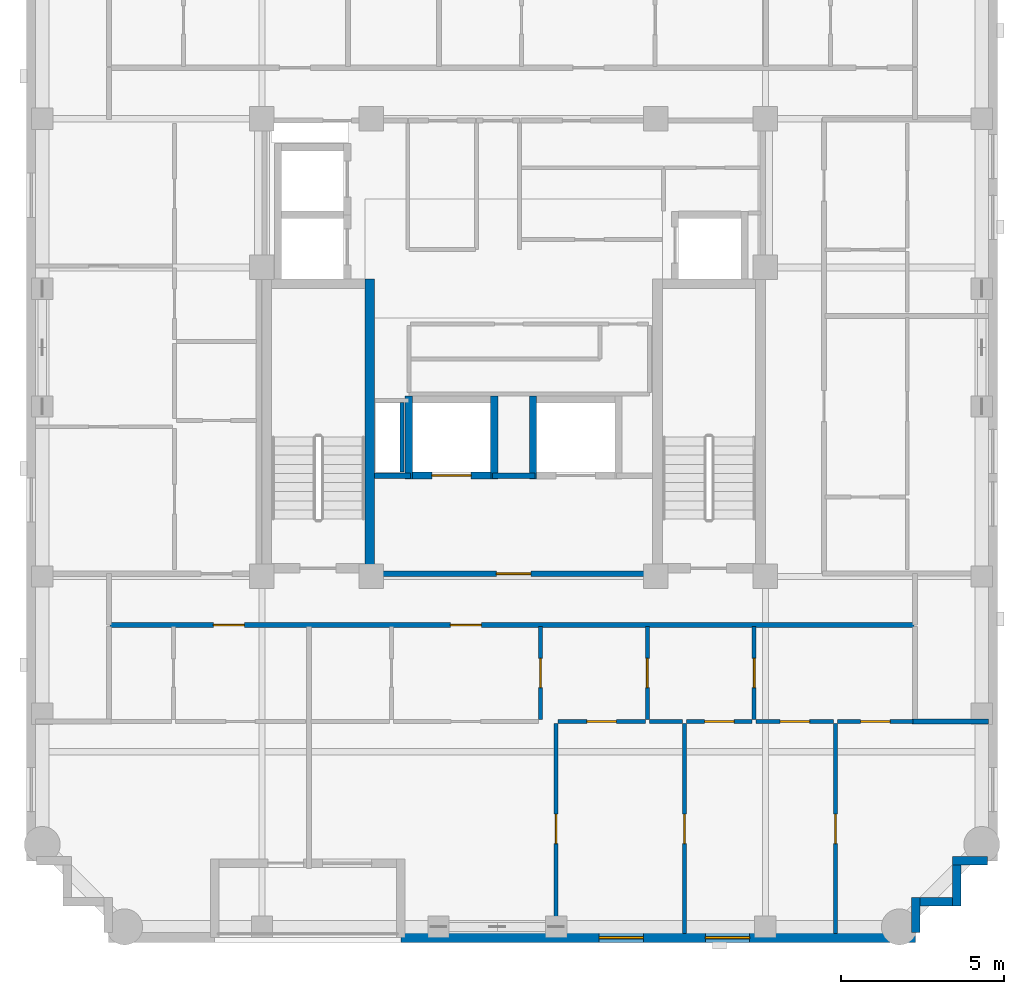
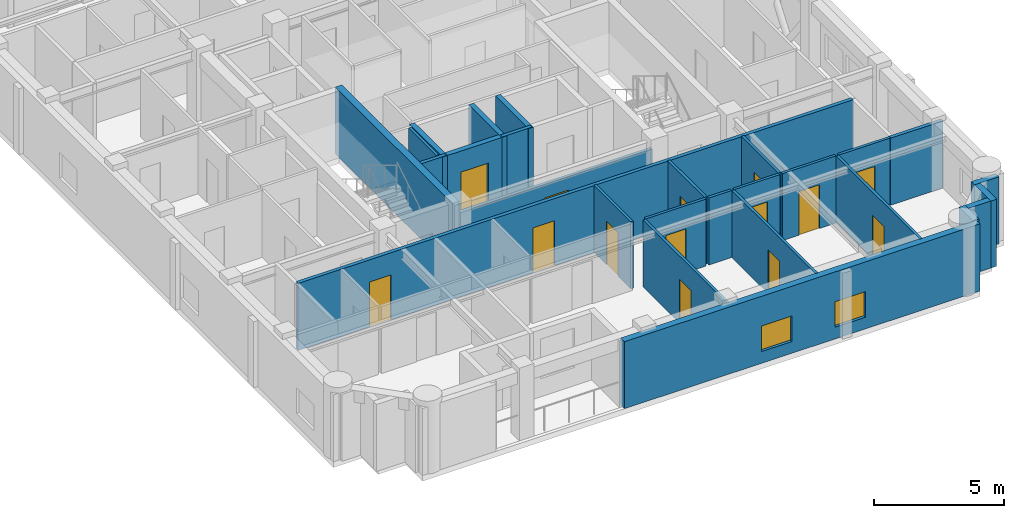
# One storey, part 3 of 10: 27 walls, 14 doors, 2 windows, 16 openings.
"""IFC4 building model written with IfcOpenShell, lengths in metres."""

from ifc_helpers import new_model, si_unit, derived_unit, direction, frame, frame_2d, origin, place, context, subcontext, project, spatial, rectangle, extrude, material, layer, layer_set, type_object, element, fill, save


model = new_model("IFC4")

# Units and contexts
model_context = context("Model", 3, precision=1e-05, world=origin(), true_north=direction((0.0, 1.0)))
body_context = subcontext(model_context, "Body", "Model", "MODEL_VIEW")
ifc_project = project(units=[si_unit("LENGTHUNIT", "METRE"), si_unit("AREAUNIT", "SQUARE_METRE"), si_unit("VOLUMEUNIT", "CUBIC_METRE"), si_unit("PLANEANGLEUNIT", "RADIAN"), si_unit("MASSUNIT", "GRAM", prefix="KILO"), derived_unit("THERMALTRANSMITTANCEUNIT", [(si_unit("MASSUNIT", "GRAM", prefix="KILO"), 1), (si_unit("TIMEUNIT", "SECOND"), -3), (si_unit("THERMODYNAMICTEMPERATUREUNIT", "KELVIN"), -1)])], contexts=[model_context])

# Site, building, storey
site_placement = place(None, origin())
site = spatial("IfcSite", under=ifc_project, at=site_placement, CompositionType="ELEMENT")
building_placement = place(site_placement, origin())
building = spatial("IfcBuilding", under=site, at=building_placement, Name="Korrvale Station Residences", CompositionType="ELEMENT")
storey_placement = place(building_placement, frame((0.0, 0.0, 217.300048828125)))
storey = spatial("IfcBuildingStorey", under=building, at=storey_placement, Name="L63", CompositionType="ELEMENT", Elevation=217.300048828125)

# Walls
ifc_material_1 = material(Name="Concrete C50/60", Category="concrete")
ifc_layer_1 = layer(ifc_material_1, 0.300048828125, Name="Concrete C50/60")
ifc_layer_set_1 = layer_set([ifc_layer_1], Name="Concrete C50/60")
wall_type_1 = type_object("IfcWallType", Name="WAL-CORE-300-C50", PredefinedType="SHEAR", material=ifc_layer_set_1)
wall_1_placement = place(storey_placement, frame((21.10009765625, 15.10009765625, 0.0), z_axis=(0.0, 0.0, 1.0), x_axis=(0.0, 1.0, 0.0)))
element("IfcWall", 1, at=wall_1_placement, inside=storey, type_object=wall_type_1, Name="L63 ST-1 Core Shear Wall East", PredefinedType="SHEAR", context=body_context, shape_type="SweptSolid", body=[
    extrude(rectangle(XDim=9.0, YDim=0.300048828125, at=frame_2d((4.5, 0.0))), origin(), (0.0, 0.0, 1.0), 3.139892578125),
])
ifc_material_2 = material(Name="Precast concrete C45/55", Category="concrete")
ifc_layer_2 = layer(ifc_material_2, 0.260009765625, Name="Precast concrete C45/55")
ifc_layer_set_2 = layer_set([ifc_layer_2], Name="Precast concrete C45/55")
wall_type_2 = type_object("IfcWallType", Name="WAL-EXT-LOG260", PredefinedType="SOLIDWALL", material=ifc_layer_set_2)
wall_2_placement = place(storey_placement, frame((39.998046875, 6.300048828125, 0.0), z_axis=(0.0, 0.0, 1.0), x_axis=(-1.0, 0.0, 0.0)))
element("IfcWall", 2, at=wall_2_placement, inside=storey, type_object=wall_type_2, Name="L63 Serrated Corner Precast Step SE-1", PredefinedType="SOLIDWALL", context=body_context, shape_type="SweptSolid", body=[
    extrude(rectangle(XDim=1.078125, YDim=0.260009765625, at=frame_2d((0.5390625, 0.0))), origin(), (0.0, 0.0, 1.0), 3.139892578125),
])
wall_3_placement = place(storey_placement, frame((39.050048828125, 6.16796875, 0.0), z_axis=(0.0, 0.0, 1.0), x_axis=(0.0, -1.0, 0.0)))
element("IfcWall", 3, at=wall_3_placement, inside=storey, type_object=wall_type_2, Name="L63 Serrated Corner Precast Step SE-2", PredefinedType="SOLIDWALL", context=body_context, shape_type="SweptSolid", body=[
    extrude(rectangle(XDim=1.248046875, YDim=0.260009765625, at=frame_2d((0.6240234375, 0.0))), origin(), (0.0, 0.0, 1.0), 3.139892578125),
])
wall_4_placement = place(storey_placement, frame((38.91796875, 5.050048828125, 0.0), z_axis=(0.0, 0.0, 1.0), x_axis=(-1.0, 0.0, 0.0)))
element("IfcWall", 4, at=wall_4_placement, inside=storey, type_object=wall_type_2, Name="L63 Serrated Corner Precast Step SE-3", PredefinedType="SOLIDWALL", context=body_context, shape_type="SweptSolid", body=[
    extrude(rectangle(XDim=0.986083984375, YDim=0.260009765625, at=frame_2d((0.4931640625, 0.0))), origin(), (0.0, 0.0, 1.0), 3.139892578125),
])
wall_5_placement = place(storey_placement, frame((37.800048828125, 5.179931640625, 0.0), z_axis=(0.0, 0.0, 1.0), x_axis=(0.0, -1.0, 0.0)))
element("IfcWall", 5, at=wall_5_placement, inside=storey, type_object=wall_type_2, Name="L63 Serrated Corner Precast Step SE-4", PredefinedType="SOLIDWALL", context=body_context, shape_type="SweptSolid", body=[
    extrude(rectangle(XDim=1.077880859375, YDim=0.260009765625, at=frame_2d((0.5390625, 0.0))), origin(), (0.0, 0.0, 1.0), 3.139892578125),
])

# Wall, openings, windows
ifc_layer_3 = layer(ifc_material_2, 0.300048828125, Name="Precast concrete C45/55")
ifc_layer_set_3 = layer_set([ifc_layer_3], Name="Precast concrete C45/55")
wall_type_3 = type_object("IfcWallType", Name="WAL-EXT-PC300", PredefinedType="SOLIDWALL", material=ifc_layer_set_3)
wall_6_placement = place(storey_placement, frame((37.800048828125, 3.949951171875, 0.0), z_axis=(0.0, 0.0, 1.0), x_axis=(-1.0, 0.0, 0.0)))
wall_6 = element("IfcWall", 6, at=wall_6_placement, inside=storey, type_object=wall_type_3, Name="L63 South Exterior Precast Wall 1", PredefinedType="SOLIDWALL", context=body_context, shape_type="SweptSolid", body=[
    extrude(rectangle(XDim=15.75, YDim=0.300048828125, at=frame_2d((7.875, 0.0))), origin(), (0.0, 0.0, 1.0), 3.139892578125),
])
opening_1_placement = place(wall_6_placement, frame((8.3349609375, 0.0, 0.550048828125)))
opening_1 = element("IfcOpeningElement", 7, at=opening_1_placement, cuts=wall_6, Name="Opening W-10", PredefinedType="OPENING", context=body_context, shape_type="SweptSolid", body=[
    extrude(rectangle(XDim=1.35009765625, YDim=1.199951171875, at=frame_2d((0.675048828125, 0.60009765625))), frame((0.0, 0.16015625, 0.0), z_axis=(0.0, -1.0, 0.0), x_axis=(1.0, 0.0, 0.0)), (0.0, 0.0, 1.0), 0.320068359375),
])
opening_2_placement = place(wall_6_placement, frame((5.0849609375, 0.0, 0.550048828125)))
opening_2 = element("IfcOpeningElement", 8, at=opening_2_placement, cuts=wall_6, Name="Opening W-10", PredefinedType="OPENING", context=body_context, shape_type="SweptSolid", body=[
    extrude(rectangle(XDim=1.35009765625, YDim=1.199951171875, at=frame_2d((0.675048828125, 0.60009765625))), frame((0.0, 0.16015625, 0.0), z_axis=(0.0, -1.0, 0.0), x_axis=(1.0, 0.0, 0.0)), (0.0, 0.0, 1.0), 0.320068359375),
])
ifc_material_3 = material(Name="Thermally broken aluminium frame with triple low-e glazing", Category="aluminium")
window_type = type_object("IfcWindowType", Name="WIN-W10", PartitioningType="SINGLE_PANEL", PredefinedType="WINDOW", material=ifc_material_3)
window_1_placement = place(opening_1_placement, origin())
window_1 = element("IfcWindow", 9, at=window_1_placement, inside=storey, type_object=window_type, Name="L63 Punched Window 03", OverallHeight=1.199951171875, OverallWidth=1.35009765625, PartitioningType="SINGLE_PANEL", PredefinedType="WINDOW", context=body_context, shape_type="SweptSolid", body=[
    extrude(rectangle(XDim=1.35009765625, YDim=1.199951171875, at=frame_2d((0.675048828125, 0.60009765625))), frame((0.0, 0.030029296875, 0.0), z_axis=(0.0, -1.0, 0.0), x_axis=(1.0, 0.0, 0.0)), (0.0, 0.0, 1.0), 0.06005859375),
])
fill(opening_1, window_1)
window_2_placement = place(opening_2_placement, origin())
window_2 = element("IfcWindow", 10, at=window_2_placement, inside=storey, type_object=window_type, Name="L63 Punched Window 04", OverallHeight=1.199951171875, OverallWidth=1.35009765625, PartitioningType="SINGLE_PANEL", PredefinedType="WINDOW", context=body_context, shape_type="SweptSolid", body=[
    extrude(rectangle(XDim=1.35009765625, YDim=1.199951171875, at=frame_2d((0.675048828125, 0.60009765625))), frame((0.0, 0.030029296875, 0.0), z_axis=(0.0, -1.0, 0.0), x_axis=(1.0, 0.0, 0.0)), (0.0, 0.0, 1.0), 0.06005859375),
])
fill(opening_2, window_2)

# Wall
ifc_material_4 = material(Name="Acoustic steel-stud gypsum board partition", Category="steel")
ifc_layer_4 = layer(ifc_material_4, 0.1201171875, Name="Acoustic steel-stud gypsum board partition")
ifc_layer_set_4 = layer_set([ifc_layer_4], Name="Acoustic steel-stud gypsum board partition")
wall_type_4 = type_object("IfcWallType", Name="WAL-PART-125", PredefinedType="PARTITIONING", material=ifc_layer_set_4)
wall_7_placement = place(storey_placement, frame((22.080078125, 18.199951171875, 0.0), z_axis=(0.0, 0.0, 1.0), x_axis=(0.0, 1.0, 0.0)))
element("IfcWall", 11, at=wall_7_placement, inside=storey, type_object=wall_type_4, Name="L63 Core Partition CW-RSWT", PredefinedType="PARTITIONING", context=body_context, shape_type="SweptSolid", body=[
    extrude(rectangle(XDim=2.1201171875, YDim=0.1201171875, at=frame_2d((1.06005859375, 0.0))), origin(), (0.0, 0.0, 1.0), 3.139892578125),
])

# Wall, opening, door
wall_8_placement = place(storey_placement, frame((26.319091796875, 10.6201171875, 0.0), z_axis=(0.0, 0.0, 1.0), x_axis=(0.0, 1.0, 0.0)))
wall_8 = element("IfcWall", 12, at=wall_8_placement, inside=storey, type_object=wall_type_4, Name="L63 Suite Partition U02-V12", PredefinedType="PARTITIONING", context=body_context, shape_type="SweptSolid", body=[
    extrude(rectangle(XDim=2.849853515625, YDim=0.1201171875, at=frame_2d((1.4248046875, 0.0))), origin(), (0.0, 0.0, 1.0), 3.139892578125),
])
opening_3_placement = place(wall_8_placement, frame((0.97509765625, 0.0, 0.0)))
opening_3 = element("IfcOpeningElement", 13, at=opening_3_placement, cuts=wall_8, Name="Opening DI-900", PredefinedType="OPENING", context=body_context, shape_type="SweptSolid", body=[
    extrude(rectangle(XDim=0.89990234375, YDim=2.050048828125, at=frame_2d((0.449951171875, 1.02490234375))), frame((0.0, 0.070068359375, 0.0), z_axis=(0.0, -1.0, 0.0), x_axis=(1.0, 0.0, 0.0)), (0.0, 0.0, 1.0), 0.14013671875),
])
ifc_material_5 = material(Name="Painted solid-core timber interior room door", Category="wood")
door_type_1 = type_object("IfcDoorType", Name="DR-INT-900", OperationType="NOTDEFINED", PredefinedType="DOOR", material=ifc_material_5)
door_1_placement = place(opening_3_placement, origin())
door_1 = element("IfcDoor", 14, at=door_1_placement, inside=storey, type_object=door_type_1, Name="L63 Apartment 2BR L63-U02 Kitchen Door", OperationType="SINGLE_SWING_RIGHT", OverallHeight=2.050048828125, OverallWidth=0.89990234375, PredefinedType="DOOR", context=body_context, shape_type="SweptSolid", body=[
    extrude(rectangle(XDim=0.89990234375, YDim=2.050048828125, at=frame_2d((0.449951171875, 1.02490234375))), frame((0.0, 0.02490234375, 0.0), z_axis=(0.0, -1.0, 0.0), x_axis=(1.0, 0.0, 0.0)), (0.0, 0.0, 1.0), 0.050048828125),
])
fill(opening_3, door_1)

wall_9_placement = place(storey_placement, frame((29.589111328125, 10.6201171875, 0.0), z_axis=(0.0, 0.0, 1.0), x_axis=(0.0, 1.0, 0.0)))
wall_9 = element("IfcWall", 15, at=wall_9_placement, inside=storey, type_object=wall_type_4, Name="L63 Suite Partition U02-V23", PredefinedType="PARTITIONING", context=body_context, shape_type="SweptSolid", body=[
    extrude(rectangle(XDim=2.849853515625, YDim=0.1201171875, at=frame_2d((1.4248046875, 0.0))), origin(), (0.0, 0.0, 1.0), 3.139892578125),
])
opening_4_placement = place(wall_9_placement, frame((0.97509765625, 0.0, 0.0)))
opening_4 = element("IfcOpeningElement", 16, at=opening_4_placement, cuts=wall_9, Name="Opening DI-900", PredefinedType="OPENING", context=body_context, shape_type="SweptSolid", body=[
    extrude(rectangle(XDim=0.89990234375, YDim=2.050048828125, at=frame_2d((0.449951171875, 1.02490234375))), frame((0.0, 0.070068359375, 0.0), z_axis=(0.0, -1.0, 0.0), x_axis=(1.0, 0.0, 0.0)), (0.0, 0.0, 1.0), 0.14013671875),
])
door_2_placement = place(opening_4_placement, origin())
door_2 = element("IfcDoor", 17, at=door_2_placement, inside=storey, type_object=door_type_1, Name="L63 Apartment 2BR L63-U02 Home Study Room Door", OperationType="SINGLE_SWING_RIGHT", OverallHeight=2.050048828125, OverallWidth=0.89990234375, PredefinedType="DOOR", context=body_context, shape_type="SweptSolid", body=[
    extrude(rectangle(XDim=0.89990234375, YDim=2.050048828125, at=frame_2d((0.449951171875, 1.02490234375))), frame((0.0, 0.02490234375, 0.0), z_axis=(0.0, -1.0, 0.0), x_axis=(1.0, 0.0, 0.0)), (0.0, 0.0, 1.0), 0.050048828125),
])
fill(opening_4, door_2)

wall_10_placement = place(storey_placement, frame((26.860107421875, 10.56005859375, 0.0), z_axis=(0.0, 0.0, 1.0), x_axis=(1.0, 0.0, 0.0)))
wall_10 = element("IfcWall", 18, at=wall_10_placement, inside=storey, type_object=wall_type_4, Name="L63 Suite Partition U02-H26", PredefinedType="PARTITIONING", context=body_context, shape_type="SweptSolid", body=[
    extrude(rectangle(XDim=2.6689453125, YDim=0.1201171875, at=frame_2d((1.33447265625, 0.0))), origin(), (0.0, 0.0, 1.0), 3.139892578125),
])
opening_5_placement = place(wall_10_placement, frame((0.884033203125, 0.0, 0.0)))
opening_5 = element("IfcOpeningElement", 19, at=opening_5_placement, cuts=wall_10, Name="Opening DI-900", PredefinedType="OPENING", context=body_context, shape_type="SweptSolid", body=[
    extrude(rectangle(XDim=0.89990234375, YDim=2.050048828125, at=frame_2d((0.449951171875, 1.02490234375))), frame((0.0, 0.070068359375, 0.0), z_axis=(0.0, -1.0, 0.0), x_axis=(1.0, 0.0, 0.0)), (0.0, 0.0, 1.0), 0.14013671875),
])
door_3_placement = place(opening_5_placement, origin())
door_3 = element("IfcDoor", 20, at=door_3_placement, inside=storey, type_object=door_type_1, Name="L63 Apartment 2BR L63-U02 Home Study Room Door", OperationType="SINGLE_SWING_LEFT", OverallHeight=2.050048828125, OverallWidth=0.89990234375, PredefinedType="DOOR", context=body_context, shape_type="SweptSolid", body=[
    extrude(rectangle(XDim=0.89990234375, YDim=2.050048828125, at=frame_2d((0.449951171875, 1.02490234375))), frame((0.0, 0.02490234375, 0.0), z_axis=(0.0, -1.0, 0.0), x_axis=(1.0, 0.0, 0.0)), (0.0, 0.0, 1.0), 0.050048828125),
])
fill(opening_5, door_3)

wall_11_placement = place(storey_placement, frame((32.85888671875, 10.6201171875, 0.0), z_axis=(0.0, 0.0, 1.0), x_axis=(0.0, 1.0, 0.0)))
wall_11 = element("IfcWall", 21, at=wall_11_placement, inside=storey, type_object=wall_type_4, Name="L63 Suite Partition U02-V34", PredefinedType="PARTITIONING", context=body_context, shape_type="SweptSolid", body=[
    extrude(rectangle(XDim=2.849853515625, YDim=0.1201171875, at=frame_2d((1.4248046875, 0.0))), origin(), (0.0, 0.0, 1.0), 3.139892578125),
])
opening_6_placement = place(wall_11_placement, frame((0.97509765625, 0.0, 0.0)))
opening_6 = element("IfcOpeningElement", 22, at=opening_6_placement, cuts=wall_11, Name="Opening DI-900", PredefinedType="OPENING", context=body_context, shape_type="SweptSolid", body=[
    extrude(rectangle(XDim=0.89990234375, YDim=2.050048828125, at=frame_2d((0.449951171875, 1.02490234375))), frame((0.0, 0.070068359375, 0.0), z_axis=(0.0, -1.0, 0.0), x_axis=(1.0, 0.0, 0.0)), (0.0, 0.0, 1.0), 0.14013671875),
])
door_4_placement = place(opening_6_placement, origin())
door_4 = element("IfcDoor", 23, at=door_4_placement, inside=storey, type_object=door_type_1, Name="L63 Apartment 2BR L63-U02 Home Study Room Door", OperationType="SINGLE_SWING_RIGHT", OverallHeight=2.050048828125, OverallWidth=0.89990234375, PredefinedType="DOOR", context=body_context, shape_type="SweptSolid", body=[
    extrude(rectangle(XDim=0.89990234375, YDim=2.050048828125, at=frame_2d((0.449951171875, 1.02490234375))), frame((0.0, 0.02490234375, 0.0), z_axis=(0.0, -1.0, 0.0), x_axis=(1.0, 0.0, 0.0)), (0.0, 0.0, 1.0), 0.050048828125),
])
fill(opening_6, door_4)

# Wall
wall_12_placement = place(storey_placement, frame((29.64892578125, 10.56005859375, 0.0), z_axis=(0.0, 0.0, 1.0), x_axis=(1.0, 0.0, 0.0)))
element("IfcWall", 24, at=wall_12_placement, inside=storey, type_object=wall_type_4, Name="L63 Suite Partition U02-H36", PredefinedType="PARTITIONING", context=body_context, shape_type="SweptSolid", body=[
    extrude(rectangle(XDim=1.02099609375, YDim=0.1201171875, at=frame_2d((0.510498046875, 0.0))), origin(), (0.0, 0.0, 1.0), 3.139892578125),
])

# Wall, opening, door
wall_13_placement = place(storey_placement, frame((30.7900390625, 10.56005859375, 0.0), z_axis=(0.0, 0.0, 1.0), x_axis=(1.0, 0.0, 0.0)))
wall_13 = element("IfcWall", 25, at=wall_13_placement, inside=storey, type_object=wall_type_4, Name="L63 Suite Partition U02-H37", PredefinedType="PARTITIONING", context=body_context, shape_type="SweptSolid", body=[
    extrude(rectangle(XDim=2.009033203125, YDim=0.1201171875, at=frame_2d((1.00439453125, 0.0))), origin(), (0.0, 0.0, 1.0), 3.139892578125),
])
opening_7_placement = place(wall_13_placement, frame((0.553955078125, 0.0, 0.0)))
opening_7 = element("IfcOpeningElement", 26, at=opening_7_placement, cuts=wall_13, Name="Opening DI-900", PredefinedType="OPENING", context=body_context, shape_type="SweptSolid", body=[
    extrude(rectangle(XDim=0.89990234375, YDim=2.050048828125, at=frame_2d((0.449951171875, 1.02490234375))), frame((0.0, 0.070068359375, 0.0), z_axis=(0.0, -1.0, 0.0), x_axis=(1.0, 0.0, 0.0)), (0.0, 0.0, 1.0), 0.14013671875),
])
door_5_placement = place(opening_7_placement, origin())
door_5 = element("IfcDoor", 27, at=door_5_placement, inside=storey, type_object=door_type_1, Name="L63 Apartment 2BR L63-U02 Home Study Room Door", OperationType="SINGLE_SWING_LEFT", OverallHeight=2.050048828125, OverallWidth=0.89990234375, PredefinedType="DOOR", context=body_context, shape_type="SweptSolid", body=[
    extrude(rectangle(XDim=0.89990234375, YDim=2.050048828125, at=frame_2d((0.449951171875, 1.02490234375))), frame((0.0, 0.02490234375, 0.0), z_axis=(0.0, -1.0, 0.0), x_axis=(1.0, 0.0, 0.0)), (0.0, 0.0, 1.0), 0.050048828125),
])
fill(opening_7, door_5)

wall_14_placement = place(storey_placement, frame((32.9189453125, 10.56005859375, 0.0), z_axis=(0.0, 0.0, 1.0), x_axis=(1.0, 0.0, 0.0)))
wall_14 = element("IfcWall", 28, at=wall_14_placement, inside=storey, type_object=wall_type_4, Name="L63 Suite Partition U02-H47", PredefinedType="PARTITIONING", context=body_context, shape_type="SweptSolid", body=[
    extrude(rectangle(XDim=2.37109375, YDim=0.1201171875, at=frame_2d((1.185546875, 0.0))), origin(), (0.0, 0.0, 1.0), 3.139892578125),
])
opening_8_placement = place(wall_14_placement, frame((0.735107421875, 0.0, 0.0)))
opening_8 = element("IfcOpeningElement", 29, at=opening_8_placement, cuts=wall_14, Name="Opening DI-900", PredefinedType="OPENING", context=body_context, shape_type="SweptSolid", body=[
    extrude(rectangle(XDim=0.89990234375, YDim=2.050048828125, at=frame_2d((0.449951171875, 1.02490234375))), frame((0.0, 0.070068359375, 0.0), z_axis=(0.0, -1.0, 0.0), x_axis=(1.0, 0.0, 0.0)), (0.0, 0.0, 1.0), 0.14013671875),
])
door_6_placement = place(opening_8_placement, origin())
door_6 = element("IfcDoor", 30, at=door_6_placement, inside=storey, type_object=door_type_1, Name="L63 Apartment 2BR L63-U02 Home Study Room Door", OperationType="SINGLE_SWING_RIGHT", OverallHeight=2.050048828125, OverallWidth=0.89990234375, PredefinedType="DOOR", context=body_context, shape_type="SweptSolid", body=[
    extrude(rectangle(XDim=0.89990234375, YDim=2.050048828125, at=frame_2d((0.449951171875, 1.02490234375))), frame((0.0, 0.02490234375, 0.0), z_axis=(0.0, -1.0, 0.0), x_axis=(1.0, 0.0, 0.0)), (0.0, 0.0, 1.0), 0.050048828125),
])
fill(opening_8, door_6)

wall_15_placement = place(storey_placement, frame((35.409912109375, 10.56005859375, 0.0), z_axis=(0.0, 0.0, 1.0), x_axis=(1.0, 0.0, 0.0)))
wall_15 = element("IfcWall", 31, at=wall_15_placement, inside=storey, type_object=wall_type_4, Name="L63 Suite Partition U02-H48", PredefinedType="PARTITIONING", context=body_context, shape_type="SweptSolid", body=[
    extrude(rectangle(XDim=2.31005859375, YDim=0.1201171875, at=frame_2d((1.155029296875, 0.0))), origin(), (0.0, 0.0, 1.0), 3.139892578125),
])
opening_9_placement = place(wall_15_placement, frame((0.705078125, 0.0, 0.0)))
opening_9 = element("IfcOpeningElement", 32, at=opening_9_placement, cuts=wall_15, Name="Opening DI-900", PredefinedType="OPENING", context=body_context, shape_type="SweptSolid", body=[
    extrude(rectangle(XDim=0.89990234375, YDim=2.050048828125, at=frame_2d((0.449951171875, 1.02490234375))), frame((0.0, 0.070068359375, 0.0), z_axis=(0.0, -1.0, 0.0), x_axis=(1.0, 0.0, 0.0)), (0.0, 0.0, 1.0), 0.14013671875),
])
door_7_placement = place(opening_9_placement, origin())
door_7 = element("IfcDoor", 33, at=door_7_placement, inside=storey, type_object=door_type_1, Name="L63 Apartment 2BR L63-U02 Home Study Room Door", OperationType="SINGLE_SWING_LEFT", OverallHeight=2.050048828125, OverallWidth=0.89990234375, PredefinedType="DOOR", context=body_context, shape_type="SweptSolid", body=[
    extrude(rectangle(XDim=0.89990234375, YDim=2.050048828125, at=frame_2d((0.449951171875, 1.02490234375))), frame((0.0, 0.02490234375, 0.0), z_axis=(0.0, -1.0, 0.0), x_axis=(1.0, 0.0, 0.0)), (0.0, 0.0, 1.0), 0.050048828125),
])
fill(opening_9, door_7)

wall_16_placement = place(storey_placement, frame((26.800048828125, 4.080078125, 0.0), z_axis=(0.0, 0.0, 1.0), x_axis=(0.0, 1.0, 0.0)))
wall_16 = element("IfcWall", 34, at=wall_16_placement, inside=storey, type_object=wall_type_4, Name="L63 Suite Partition U02-V56", PredefinedType="PARTITIONING", context=body_context, shape_type="SweptSolid", body=[
    extrude(rectangle(XDim=6.419921875, YDim=0.1201171875, at=frame_2d((3.2099609375, 0.0))), origin(), (0.0, 0.0, 1.0), 3.139892578125),
])
opening_10_placement = place(wall_16_placement, frame((2.7451171875, 0.0, 0.0)))
opening_10 = element("IfcOpeningElement", 35, at=opening_10_placement, cuts=wall_16, Name="Opening DI-900", PredefinedType="OPENING", context=body_context, shape_type="SweptSolid", body=[
    extrude(rectangle(XDim=0.89990234375, YDim=2.050048828125, at=frame_2d((0.449951171875, 1.02490234375))), frame((0.0, 0.070068359375, 0.0), z_axis=(0.0, -1.0, 0.0), x_axis=(1.0, 0.0, 0.0)), (0.0, 0.0, 1.0), 0.14013671875),
])
door_8_placement = place(opening_10_placement, origin())
door_8 = element("IfcDoor", 36, at=door_8_placement, inside=storey, type_object=door_type_1, Name="L63 Apartment 2BR L63-U02 Living and Dining Room Door", OperationType="SINGLE_SWING_RIGHT", OverallHeight=2.050048828125, OverallWidth=0.89990234375, PredefinedType="DOOR", context=body_context, shape_type="SweptSolid", body=[
    extrude(rectangle(XDim=0.89990234375, YDim=2.050048828125, at=frame_2d((0.449951171875, 1.02490234375))), frame((0.0, 0.02490234375, 0.0), z_axis=(0.0, -1.0, 0.0), x_axis=(1.0, 0.0, 0.0)), (0.0, 0.0, 1.0), 0.050048828125),
])
fill(opening_10, door_8)

wall_17_placement = place(storey_placement, frame((30.72998046875, 4.080078125, 0.0), z_axis=(0.0, 0.0, 1.0), x_axis=(0.0, 1.0, 0.0)))
wall_17 = element("IfcWall", 37, at=wall_17_placement, inside=storey, type_object=wall_type_4, Name="L63 Suite Partition U02-V67", PredefinedType="PARTITIONING", context=body_context, shape_type="SweptSolid", body=[
    extrude(rectangle(XDim=6.419921875, YDim=0.1201171875, at=frame_2d((3.2099609375, 0.0))), origin(), (0.0, 0.0, 1.0), 3.139892578125),
])
opening_11_placement = place(wall_17_placement, frame((2.7451171875, 0.0, 0.0)))
opening_11 = element("IfcOpeningElement", 38, at=opening_11_placement, cuts=wall_17, Name="Opening DI-900", PredefinedType="OPENING", context=body_context, shape_type="SweptSolid", body=[
    extrude(rectangle(XDim=0.89990234375, YDim=2.050048828125, at=frame_2d((0.449951171875, 1.02490234375))), frame((0.0, 0.070068359375, 0.0), z_axis=(0.0, -1.0, 0.0), x_axis=(1.0, 0.0, 0.0)), (0.0, 0.0, 1.0), 0.14013671875),
])
door_9_placement = place(opening_11_placement, origin())
door_9 = element("IfcDoor", 39, at=door_9_placement, inside=storey, type_object=door_type_1, Name="L63 Apartment 2BR L63-U02 Formal Dining Room Door", OperationType="SINGLE_SWING_LEFT", OverallHeight=2.050048828125, OverallWidth=0.89990234375, PredefinedType="DOOR", context=body_context, shape_type="SweptSolid", body=[
    extrude(rectangle(XDim=0.89990234375, YDim=2.050048828125, at=frame_2d((0.449951171875, 1.02490234375))), frame((0.0, 0.02490234375, 0.0), z_axis=(0.0, -1.0, 0.0), x_axis=(1.0, 0.0, 0.0)), (0.0, 0.0, 1.0), 0.050048828125),
])
fill(opening_11, door_9)

wall_18_placement = place(storey_placement, frame((35.35009765625, 4.080078125, 0.0), z_axis=(0.0, 0.0, 1.0), x_axis=(0.0, 1.0, 0.0)))
wall_18 = element("IfcWall", 40, at=wall_18_placement, inside=storey, type_object=wall_type_4, Name="L63 Suite Partition U02-V78", PredefinedType="PARTITIONING", context=body_context, shape_type="SweptSolid", body=[
    extrude(rectangle(XDim=6.419921875, YDim=0.1201171875, at=frame_2d((3.2099609375, 0.0))), origin(), (0.0, 0.0, 1.0), 3.139892578125),
])
opening_12_placement = place(wall_18_placement, frame((2.7451171875, 0.0, 0.0)))
opening_12 = element("IfcOpeningElement", 41, at=opening_12_placement, cuts=wall_18, Name="Opening DI-900", PredefinedType="OPENING", context=body_context, shape_type="SweptSolid", body=[
    extrude(rectangle(XDim=0.89990234375, YDim=2.050048828125, at=frame_2d((0.449951171875, 1.02490234375))), frame((0.0, 0.070068359375, 0.0), z_axis=(0.0, -1.0, 0.0), x_axis=(1.0, 0.0, 0.0)), (0.0, 0.0, 1.0), 0.14013671875),
])
door_10_placement = place(opening_12_placement, origin())
door_10 = element("IfcDoor", 42, at=door_10_placement, inside=storey, type_object=door_type_1, Name="L63 Apartment 2BR L63-U02 Bedroom 1 Door", OperationType="SINGLE_SWING_RIGHT", OverallHeight=2.050048828125, OverallWidth=0.89990234375, PredefinedType="DOOR", context=body_context, shape_type="SweptSolid", body=[
    extrude(rectangle(XDim=0.89990234375, YDim=2.050048828125, at=frame_2d((0.449951171875, 1.02490234375))), frame((0.0, 0.02490234375, 0.0), z_axis=(0.0, -1.0, 0.0), x_axis=(1.0, 0.0, 0.0)), (0.0, 0.0, 1.0), 0.050048828125),
])
fill(opening_12, door_10)

ifc_material_6 = material(Name="Fire-rated twin-stud gypsum and mineral wool shaftwall assembly", Category="gypsum")
ifc_layer_5 = layer(ifc_material_6, 0.159912109375, Name="Fire-rated twin-stud gypsum and mineral wool shaftwall assembly")
ifc_layer_set_5 = layer_set([ifc_layer_5], Name="Fire-rated twin-stud gypsum and mineral wool shaftwall assembly")
wall_type_5 = type_object("IfcWallType", Name="WAL-PART-200", PredefinedType="PARTITIONING", material=ifc_layer_set_5)
wall_19_placement = place(storey_placement, frame((21.25, 15.080078125, 0.0), z_axis=(0.0, 0.0, 1.0), x_axis=(1.0, 0.0, 0.0)))
wall_19 = element("IfcWall", 43, at=wall_19_placement, inside=storey, type_object=wall_type_5, Name="L63 Core Partition CW-FFL-S", PredefinedType="PARTITIONING", context=body_context, shape_type="SweptSolid", body=[
    extrude(rectangle(XDim=8.5, YDim=0.159912109375, at=frame_2d((4.25, 0.0))), origin(), (0.0, 0.0, 1.0), 2.66796875),
])
opening_13_placement = place(wall_19_placement, frame((3.72509765625, 0.0, 0.0)))
opening_13 = element("IfcOpeningElement", 44, at=opening_13_placement, cuts=wall_19, Name="Opening FD-1050", PredefinedType="OPENING", context=body_context, shape_type="SweptSolid", body=[
    extrude(rectangle(XDim=1.050048828125, YDim=2.050048828125, at=frame_2d((0.52490234375, 1.02490234375))), frame((0.0, 0.08984375, 0.0), z_axis=(0.0, -1.0, 0.0), x_axis=(1.0, 0.0, 0.0)), (0.0, 0.0, 1.0), 0.179931640625),
])
ifc_material_7 = material(Name="Fire-rated mineral-core timber lobby door", Category="wood")
door_type_2 = type_object("IfcDoorType", Name="DR-CORE-1050", OperationType="NOTDEFINED", PredefinedType="DOOR", material=ifc_material_7)
door_11_placement = place(opening_13_placement, origin())
door_11 = element("IfcDoor", 45, at=door_11_placement, inside=storey, type_object=door_type_2, Name="L63 Firefighting Lobby Entry Door", OperationType="SINGLE_SWING_RIGHT", OverallHeight=2.050048828125, OverallWidth=1.050048828125, PredefinedType="DOOR", context=body_context, shape_type="SweptSolid", body=[
    extrude(rectangle(XDim=1.050048828125, YDim=2.050048828125, at=frame_2d((0.52490234375, 1.02490234375))), frame((0.0, 0.02490234375, 0.0), z_axis=(0.0, -1.0, 0.0), x_axis=(1.0, 0.0, 0.0)), (0.0, 0.0, 1.0), 0.050048828125),
])
fill(opening_13, door_11)

# Walls
wall_20_placement = place(storey_placement, frame((21.25, 18.080078125, 0.0), z_axis=(0.0, 0.0, 1.0), x_axis=(1.0, 0.0, 0.0)))
element("IfcWall", 46, at=wall_20_placement, inside=storey, type_object=wall_type_5, Name="L63 Core Partition CW-FFL-N1", PredefinedType="PARTITIONING", context=body_context, shape_type="SweptSolid", body=[
    extrude(rectangle(XDim=1.10009765625, YDim=0.159912109375, at=frame_2d((0.550048828125, 0.0))), origin(), (0.0, 0.0, 1.0), 3.139892578125),
])
wall_21_placement = place(storey_placement, frame((24.85009765625, 18.080078125, 0.0), z_axis=(0.0, 0.0, 1.0), x_axis=(1.0, 0.0, 0.0)))
element("IfcWall", 47, at=wall_21_placement, inside=storey, type_object=wall_type_5, Name="L63 Core Partition CW-FFL-N2", PredefinedType="PARTITIONING", context=body_context, shape_type="SweptSolid", body=[
    extrude(rectangle(XDim=1.2998046875, YDim=0.159912109375, at=frame_2d((0.64990234375, 0.0))), origin(), (0.0, 0.0, 1.0), 3.139892578125),
])
wall_22_placement = place(storey_placement, frame((37.679931640625, 10.56005859375, 0.0), z_axis=(0.0, 0.0, 1.0), x_axis=(1.0, 0.0, 0.0)))
element("IfcWall", 48, at=wall_22_placement, inside=storey, type_object=wall_type_5, Name="L63 Corner Step Wall U02-R", PredefinedType="PARTITIONING", context=body_context, shape_type="SweptSolid", body=[
    extrude(rectangle(XDim=2.340087890625, YDim=0.159912109375, at=frame_2d((1.169921875, 0.0))), origin(), (0.0, 0.0, 1.0), 3.139892578125),
])

# Wall, openings, doors
wall_23_placement = place(storey_placement, frame((13.14990234375, 13.510009765625, 0.0), z_axis=(0.0, 0.0, 1.0), x_axis=(1.0, 0.0, 0.0)))
wall_23 = element("IfcWall", 49, at=wall_23_placement, inside=storey, type_object=wall_type_5, Name="L63 Rated Corridor Wall S", PredefinedType="PARTITIONING", context=body_context, shape_type="SweptSolid", body=[
    extrude(rectangle(XDim=24.60009765625, YDim=0.159912109375, at=frame_2d((12.300048828125, 0.0))), origin(), (0.0, 0.0, 1.0), 3.139892578125),
])
opening_14_placement = place(wall_23_placement, frame((3.1650390625, 0.0, 0.0)))
opening_14 = element("IfcOpeningElement", 50, at=opening_14_placement, cuts=wall_23, Name="Opening UD-950", PredefinedType="OPENING", context=body_context, shape_type="SweptSolid", body=[
    extrude(rectangle(XDim=0.949951171875, YDim=2.10009765625, at=frame_2d((0.47509765625, 1.050048828125))), frame((0.0, 0.08984375, 0.0), z_axis=(0.0, -1.0, 0.0), x_axis=(1.0, 0.0, 0.0)), (0.0, 0.0, 1.0), 0.179931640625),
])
opening_15_placement = place(wall_23_placement, frame((10.4140625, 0.0, 0.0)))
opening_15 = element("IfcOpeningElement", 51, at=opening_15_placement, cuts=wall_23, Name="Opening UD-950", PredefinedType="OPENING", context=body_context, shape_type="SweptSolid", body=[
    extrude(rectangle(XDim=0.949951171875, YDim=2.10009765625, at=frame_2d((0.47509765625, 1.050048828125))), frame((0.0, 0.08984375, 0.0), z_axis=(0.0, -1.0, 0.0), x_axis=(1.0, 0.0, 0.0)), (0.0, 0.0, 1.0), 0.179931640625),
])
ifc_material_8 = material(Name="Solid-core acoustic oak apartment entrance door", Category="timber")
door_type_3 = type_object("IfcDoorType", Name="DR-UNIT-950", OperationType="NOTDEFINED", PredefinedType="DOOR", material=ifc_material_8)
door_12_placement = place(opening_14_placement, origin())
door_12 = element("IfcDoor", 52, at=door_12_placement, inside=storey, type_object=door_type_3, Name="L63 Apartment L63-U01 Entrance Door", OperationType="SINGLE_SWING_RIGHT", OverallHeight=2.10009765625, OverallWidth=0.949951171875, PredefinedType="DOOR", context=body_context, shape_type="SweptSolid", body=[
    extrude(rectangle(XDim=0.949951171875, YDim=2.10009765625, at=frame_2d((0.47509765625, 1.050048828125))), frame((0.0, 0.02490234375, 0.0), z_axis=(0.0, -1.0, 0.0), x_axis=(1.0, 0.0, 0.0)), (0.0, 0.0, 1.0), 0.050048828125),
])
fill(opening_14, door_12)
door_13_placement = place(opening_15_placement, origin())
door_13 = element("IfcDoor", 53, at=door_13_placement, inside=storey, type_object=door_type_3, Name="L63 Apartment L63-U02 Entrance Door", OperationType="SINGLE_SWING_LEFT", OverallHeight=2.10009765625, OverallWidth=0.949951171875, PredefinedType="DOOR", context=body_context, shape_type="SweptSolid", body=[
    extrude(rectangle(XDim=0.949951171875, YDim=2.10009765625, at=frame_2d((0.47509765625, 1.050048828125))), frame((0.0, 0.02490234375, 0.0), z_axis=(0.0, -1.0, 0.0), x_axis=(1.0, 0.0, 0.0)), (0.0, 0.0, 1.0), 0.050048828125),
])
fill(opening_15, door_13)

# Wall, opening, door
ifc_layer_6 = layer(ifc_material_1, 0.219970703125, Name="Concrete C50/60")
ifc_layer_set_6 = layer_set([ifc_layer_6], Name="Concrete C50/60")
wall_type_6 = type_object("IfcWallType", Name="WAL-SHAFT-220-C50", PredefinedType="SHEAR", material=ifc_layer_set_6)
wall_24_placement = place(storey_placement, frame((22.39990234375, 18.090087890625, 0.0), z_axis=(0.0, 0.0, 1.0), x_axis=(1.0, 0.0, 0.0)))
wall_24 = element("IfcWall", 54, at=wall_24_placement, inside=storey, type_object=wall_type_6, Name="L63 Elevator FFL-1 Hoistway Wall South", PredefinedType="SHEAR", context=body_context, shape_type="SweptSolid", body=[
    extrude(rectangle(XDim=2.400146484375, YDim=0.219970703125, at=frame_2d((1.2001953125, 0.0))), origin(), (0.0, 0.0, 1.0), 3.139892578125),
])
opening_16_placement = place(wall_24_placement, frame((0.60009765625, 0.0, 0.0)))
opening_16 = element("IfcOpeningElement", 55, at=opening_16_placement, cuts=wall_24, Name="Opening LD-FF1200", PredefinedType="OPENING", context=body_context, shape_type="SweptSolid", body=[
    extrude(rectangle(XDim=1.199951171875, YDim=2.14990234375, at=frame_2d((0.60009765625, 1.074951171875))), frame((0.0, 0.1201171875, 0.0), z_axis=(0.0, -1.0, 0.0), x_axis=(1.0, 0.0, 0.0)), (0.0, 0.0, 1.0), 0.239990234375),
])
ifc_material_9 = material(Name="Stainless-steel firefighter elevator landing sliding door", Category="steel")
door_type_4 = type_object("IfcDoorType", Name="DR-LIFT-FF1200", OperationType="SLIDING_TO_LEFT", PredefinedType="DOOR", material=ifc_material_9)
door_14_placement = place(opening_16_placement, origin())
door_14 = element("IfcDoor", 56, at=door_14_placement, inside=storey, type_object=door_type_4, Name="L63 Elevator FFL-1 Sliding Landing Door", OperationType="SLIDING_TO_LEFT", OverallHeight=2.14990234375, OverallWidth=1.199951171875, PredefinedType="DOOR", context=body_context, shape_type="SweptSolid", body=[
    extrude(rectangle(XDim=1.199951171875, YDim=2.14990234375, at=frame_2d((0.60009765625, 1.074951171875))), frame((0.0, 0.02490234375, 0.0), z_axis=(0.0, -1.0, 0.0), x_axis=(1.0, 0.0, 0.0)), (0.0, 0.0, 1.0), 0.050048828125),
])
fill(opening_16, door_14)

# Walls
for number, where, z_axis, x_axis, name in (
    (57, (22.2900390625, 17.97998046875, 0.0), (0.0, 0.0, 1.0), (0.0, 1.0, 0.0), "L63 Elevator FFL-1 Hoistway Wall West"),
    (58, (24.909912109375, 17.97998046875, 0.0), (0.0, 0.0, 1.0), (0.0, 1.0, 0.0), "L63 Elevator FFL-1 Hoistway Wall East"),
    (59, (26.090087890625, 17.97998046875, 0.0), (0.0, 0.0, 1.0), (0.0, 1.0, 0.0), "L63 Elevator FFL-2 Hoistway Wall West"),
):
    element("IfcWall", number, at=place(storey_placement, frame(where, z_axis=z_axis, x_axis=x_axis)), inside=storey, type_object=wall_type_6, Name=name, PredefinedType="SHEAR", context=body_context, shape_type="SweptSolid", body=[
        extrude(rectangle(XDim=2.5400390625, YDim=0.219970703125, at=frame_2d((1.27001953125, 0.0))), origin(), (0.0, 0.0, 1.0), 3.139892578125),
    ])

save(model, "model.ifc")
